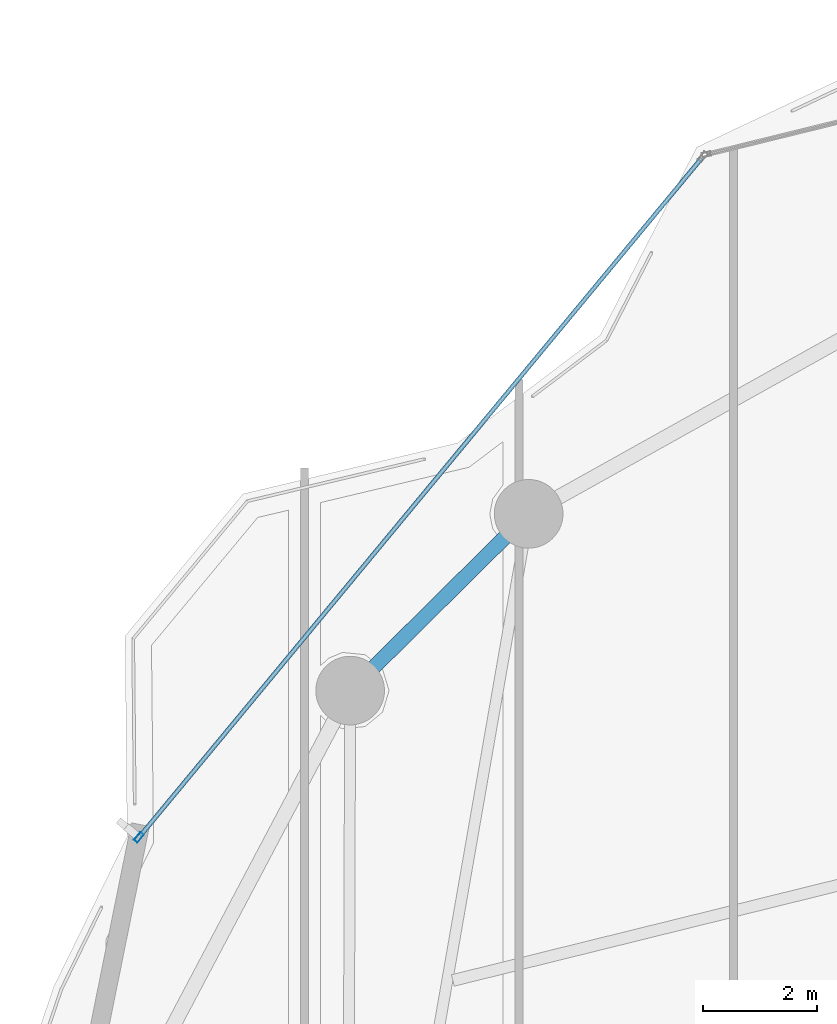
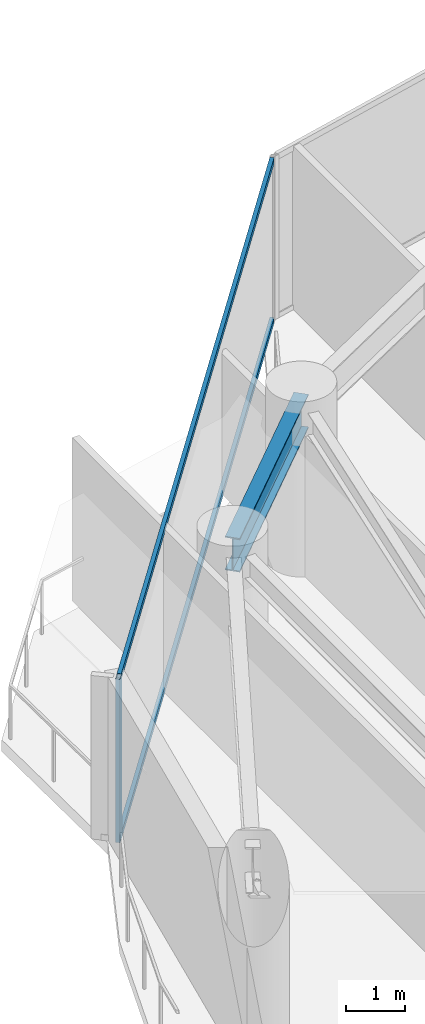
# One storey, part 16 of 28: 3 members, 1 beam, 1 element without a shape of its own.
"""IFC4 building model written with IfcOpenShell, lengths in metres."""

from ifc_helpers import new_model, si_unit, direction, frame, origin, origin_2d, place, context, subcontext, project, spatial, hollow_rectangle, i_section, extrude, material, layer, layer_set, material_profile, profile_set, type_object, element, aggregate, save


model = new_model("IFC4")

# Units and contexts
model_context = context("Model", 3, precision=1e-05, world=origin(), true_north=direction((0.0, 1.0)))
body_context = subcontext(model_context, "Body", "Model", "MODEL_VIEW")
ifc_project = project(units=[si_unit("LENGTHUNIT", "METRE"), si_unit("AREAUNIT", "SQUARE_METRE"), si_unit("VOLUMEUNIT", "CUBIC_METRE"), si_unit("PLANEANGLEUNIT", "RADIAN"), si_unit("MASSUNIT", "GRAM", prefix="KILO")], contexts=[model_context])

# Site, building, storey
site_placement = place(None, origin())
site = spatial("IfcSite", under=ifc_project, at=site_placement, CompositionType="ELEMENT")
building_placement = place(site_placement, origin())
building = spatial("IfcBuilding", under=site, at=building_placement, Name="Kazevale Care Tower and Concert Hall", CompositionType="ELEMENT")
storey_placement = place(building_placement, frame((0.0, 0.0, 120.60009765625)))
storey = spatial("IfcBuildingStorey", under=building, at=storey_placement, Name="L31", CompositionType="ELEMENT", Elevation=120.60009765625)

# Curtain wall, members
ifc_material_1 = material(Name="Aluminium 6063-T6 and Low-E Glass", Category="aluminium")
ifc_layer = layer(ifc_material_1, 0.179931640625)
ifc_layer_set = layer_set([ifc_layer], Name="Aluminium 6063-T6 and Low-E Glass")
curtain_wall_type = type_object("IfcCurtainWallType", Name="Convex Checkerboard Finned Curtain Wall CW-2", PredefinedType="NOTDEFINED", material=ifc_layer_set)
curtain_wall_placement = place(storey_placement, origin())
curtain_wall = element("IfcCurtainWall", 1, at=curtain_wall_placement, inside=storey, type_object=curtain_wall_type, Name="cw:L31:f14", PredefinedType="NOTDEFINED")
ifc_material_2 = material(Name="Aluminium 6063-T6", Category="aluminium")
ifc_material_profile_1 = material_profile(ifc_material_2, hollow_rectangle(XDim=0.080078125, YDim=0.179931640625, WallThickness=0.0048828125, at=origin_2d()), Name="ALU80x180x5")
ifc_profile_set_1 = profile_set([ifc_material_profile_1], Name="Aluminium 6063-T6")
member_type_1 = type_object("IfcMemberType", Name="CW-2 Mullion ALU80x180x5", PredefinedType="MULLION", material=ifc_profile_set_1)
member_1_placement = place(storey_placement, frame((18.357421875, 48.923828125, 0.0), z_axis=(0.0, 0.0, 1.0), x_axis=(-0.770049579196, 0.637984048061, 0.0)))
member_1 = element("IfcMember", 2, at=member_1_placement, type_object=member_type_1, Name="CW-2 mullion 1", PredefinedType="MULLION", context=body_context, shape_type="SweptSolid", body=[
    extrude(hollow_rectangle(XDim=0.080078125, YDim=0.179931640625, WallThickness=0.0048828125, at=origin_2d()), origin(), (0.0, 0.0, 1.0), 3.35986328125),
])
ifc_material_profile_2 = material_profile(ifc_material_2, hollow_rectangle(XDim=0.074951171875, YDim=0.1201171875, WallThickness=0.00390625, at=origin_2d()), Name="ALU75x120x4")
ifc_profile_set_2 = profile_set([ifc_material_profile_2], Name="Aluminium 6063-T6")
member_type_2 = type_object("IfcMemberType", Name="CW-2 Transom ALU75x120x4", PredefinedType="USERDEFINED", material=ifc_profile_set_2)
member_2_placement = place(storey_placement, frame((18.383056640625, 48.95458984375, 0.037353515625), z_axis=(0.637986649499, 0.770047423904, 0.0), x_axis=(-0.770047423904, 0.637986649499, 0.0)))
member_2 = element("IfcMember", 3, at=member_2_placement, type_object=member_type_2, Name="CW-2 transom 1.1", ObjectType="TRANSOM", PredefinedType="USERDEFINED", context=body_context, shape_type="SweptSolid", body=[
    extrude(hollow_rectangle(XDim=0.074951171875, YDim=0.1201171875, WallThickness=0.00390625, at=origin_2d()), origin(), (0.0, 0.0, 1.0), 15.3701171875),
])
member_3_placement = place(storey_placement, frame((18.383056640625, 48.95458984375, 3.322509765625), z_axis=(0.637986649499, 0.770047423904, 0.0), x_axis=(-0.770047423904, 0.637986649499, 0.0)))
member_3 = element("IfcMember", 4, at=member_3_placement, type_object=member_type_2, Name="CW-2 transom 1.2", ObjectType="TRANSOM", PredefinedType="USERDEFINED", context=body_context, shape_type="SweptSolid", body=[
    extrude(hollow_rectangle(XDim=0.074951171875, YDim=0.1201171875, WallThickness=0.00390625, at=origin_2d()), origin(), (0.0, 0.0, 1.0), 15.3701171875),
])
aggregate(curtain_wall, [member_1, member_2, member_3])

# Beam
ifc_material_3 = material(Name="Steel ASTM A572 Gr 50", Category="steel")
ifc_material_profile_3 = material_profile(ifc_material_3, i_section(OverallWidth=0.256103515625, OverallDepth=0.693115234375, WebThickness=0.014404296875, FlangeThickness=0.023681640625, at=origin_2d()), Name="W690x170")
ifc_profile_set_3 = profile_set([ifc_material_profile_3], Name="Steel ASTM A572 Gr 50")
beam_type = type_object("IfcBeamType", Name="Waist Ring Beam W690x170", PredefinedType="BEAM", material=ifc_profile_set_3)
beam_placement = place(storey_placement, frame((25.169921875, 54.580078125, 3.013427734375), z_axis=(-0.710490141585, -0.703707154085, 0.0), x_axis=(0.703707154085, -0.710490141585, 0.0)))
element("IfcBeam", 5, at=beam_placement, inside=storey, type_object=beam_type, Name="beam:L31:ring:07", PredefinedType="BEAM", context=body_context, shape_type="SweptSolid", body=[
    extrude(i_section(OverallWidth=0.256103515625, OverallDepth=0.693115234375, WebThickness=0.014404296875, FlangeThickness=0.023681640625, at=origin_2d()), origin(), (0.0, 0.0, 1.0), 4.39111328125),
])

save(model, "model.ifc")
